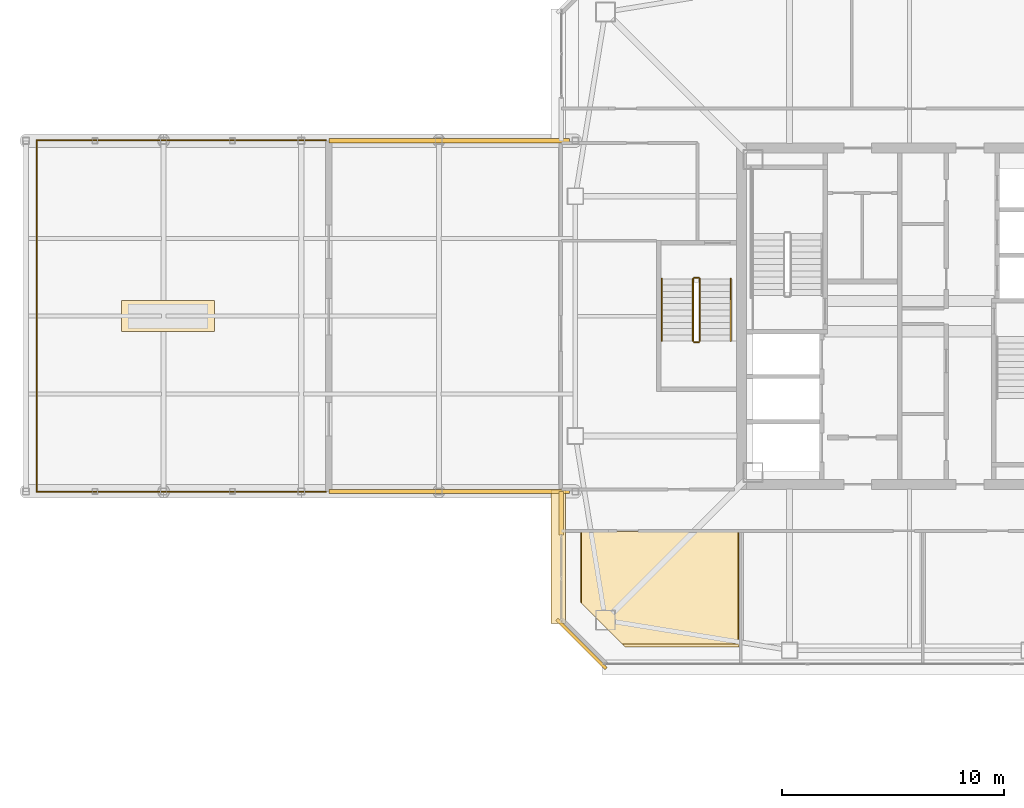
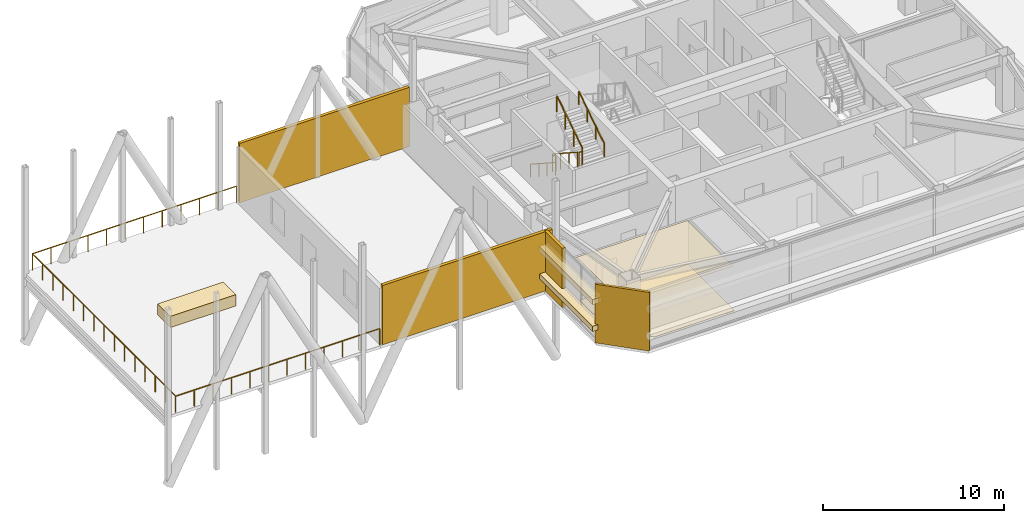
# One storey, part 47 of 53: 9 coverings, 9 railings.
"""IFC4 building model written with IfcOpenShell, lengths in metres."""

from ifc_helpers import new_model, si_unit, direction, frame, origin, origin_2d, place, context, subcontext, project, spatial, polyline, rectangle, outline, extrude, material, layer, layer_set, type_object, element, save


model = new_model("IFC4")

# Units and contexts
model_context = context("Model", 3, precision=1e-05, world=origin(), true_north=direction((0.0, 1.0)))
body_context = subcontext(model_context, "Body", "Model", "MODEL_VIEW")
ifc_project = project(units=[si_unit("LENGTHUNIT", "METRE"), si_unit("AREAUNIT", "SQUARE_METRE"), si_unit("VOLUMEUNIT", "CUBIC_METRE"), si_unit("PLANEANGLEUNIT", "RADIAN"), si_unit("MASSUNIT", "GRAM", prefix="KILO")], contexts=[model_context])

# Site, building, storey
site_placement = place(None, origin())
site = spatial("IfcSite", under=ifc_project, at=site_placement, CompositionType="ELEMENT")
building_placement = place(site_placement, origin())
building = spatial("IfcBuilding", under=site, at=building_placement, Name="Tashvorn Skyway Center", CompositionType="ELEMENT")
storey_placement = place(building_placement, frame((0.0, 0.0, 255.39990234375)))
storey = spatial("IfcBuildingStorey", under=building, at=storey_placement, Name="L69", CompositionType="ELEMENT", Elevation=255.39990234375)

# Coverings
ifc_material_1 = material(Name="Precast concrete C40/50", Category="concrete")
ifc_layer_1 = layer(ifc_material_1, 0.199951171875)
ifc_layer_set_1 = layer_set([ifc_layer_1], Name="Precast concrete C40/50")
covering_type_1 = type_object("IfcCoveringType", Name="COV-BRACE-CLAD", PredefinedType="CLADDING", material=ifc_layer_set_1)
covering_1_placement = place(storey_placement, frame((26.320068359375, 23.1201171875, 0.0), z_axis=(0.0, 0.0, 1.0), x_axis=(0.0, 1.0, 0.0)))
element("IfcCovering", 1, at=covering_1_placement, inside=storey, type_object=covering_type_1, Name="Tower 1 L69 West Curtain Wall A Mega-Brace Cladding Band 1", PredefinedType="CLADDING", context=body_context, shape_type="SweptSolid", body=[
    extrude(rectangle(XDim=1.9599609375, YDim=0.199951171875, at=origin_2d()), origin(), (0.0, 0.0, 1.0), 4.0),
])
for number, where, z_axis, x_axis, name in (
    (2, (21.260009765625, 24.10009765625, 0.0), (0.0, 0.0, 1.0), (-1.0, 0.0, 0.0), "Sky-Park L69 Cantilever Gallery South Curtain Wall Mega-Brace Cladding Band 1"),
    (3, (21.260009765625, 39.89990234375, 0.0), (0.0, 0.0, 1.0), (1.0, 0.0, 0.0), "Sky-Park L69 Cantilever Gallery North Curtain Wall Mega-Brace Cladding Band 1"),
):
    element("IfcCovering", number, at=place(storey_placement, frame(where, z_axis=z_axis, x_axis=x_axis)), inside=storey, type_object=covering_type_1, Name=name, PredefinedType="CLADDING", context=body_context, shape_type="SweptSolid", body=[
        extrude(rectangle(XDim=10.840087890625, YDim=0.199951171875, at=origin_2d()), origin(), (0.0, 0.0, 1.0), 4.0),
    ])
ifc_material_2 = material(Name="Mineral-fibre acoustic ceiling tile on suspended grid")
ifc_layer_2 = layer(ifc_material_2, 0.02001953125)
ifc_layer_set_2 = layer_set([ifc_layer_2], Name="Mineral-fibre acoustic ceiling tile on suspended grid")
covering_type_2 = type_object("IfcCoveringType", Name="COV-CEIL-20", PredefinedType="CEILING", material=ifc_layer_set_2)
covering_2_placement = place(storey_placement, frame((0.0, 0.0, 2.951171875)))
element("IfcCovering", 4, at=covering_2_placement, inside=storey, type_object=covering_type_2, Name="Tower 1 L69 Open Plan Office Acoustic Ceiling", PredefinedType="CEILING", context=body_context, shape_type="SweptSolid", body=[
    extrude(outline(polyline([(27.219970703125, 22.2900390625), (34.280029296875, 22.2900390625), (34.280029296875, 17.219970703125), (29.080078125, 17.219970703125), (27.219970703125, 19.080078125), (27.219970703125, 22.2900390625)])), origin(), (0.0, 0.0, 1.0), 0.02001953125),
])
ifc_material_3 = material(Name="Polished Mojave desert-aggregate terrazzo and cover plate")
ifc_layer_3 = layer(ifc_material_3, 0.0400390625)
ifc_layer_set_3 = layer_set([ifc_layer_3], Name="Polished Mojave desert-aggregate terrazzo and cover plate")
covering_type_3 = type_object("IfcCoveringType", Name="COV-FLR-40", PredefinedType="FLOORING", material=ifc_layer_set_3)
covering_3_placement = place(storey_placement, origin())
element("IfcCovering", 5, at=covering_3_placement, inside=storey, type_object=covering_type_3, Name="Tower 1 L69 Open Plan Office Finish Flooring", PredefinedType="FLOORING", context=body_context, shape_type="SweptSolid", body=[
    extrude(outline(polyline([(29.199951171875, 17.10009765625), (27.179931640625, 19.1201171875), (27.179931640625, 22.25), (34.320068359375, 22.25), (34.320068359375, 17.10009765625), (29.199951171875, 17.10009765625)])), origin(), (0.0, 0.0, 1.0), 0.0400390625),
])
ifc_material_4 = material(Name="Perforated ceramic-coated bronze aluminium solar screen", Category="aluminium")
ifc_layer_4 = layer(ifc_material_4, 0.85009765625)
ifc_layer_set_4 = layer_set([ifc_layer_4], Name="Perforated ceramic-coated bronze aluminium solar screen")
covering_type_4 = type_object("IfcCoveringType", Name="COV-SOLAR-BAND", PredefinedType="CLADDING", material=ifc_layer_set_4)
for number, where, z_axis, x_axis, name in (
    (6, (26.179931640625, 21.159912109375, 0.919921875), (0.0, 0.0, 1.0), (0.0, 1.0, 0.0), "L69 Perforated Ceramic-Metal Solar Screen Louvre Band West 1"),
    (7, (26.179931640625, 21.159912109375, 2.72021484375), (0.0, 0.0, 1.0), (0.0, 1.0, 0.0), "L69 Perforated Ceramic-Metal Solar Screen Louvre Band West 2"),
):
    element("IfcCovering", number, at=place(storey_placement, frame(where, z_axis=z_axis, x_axis=x_axis)), inside=storey, type_object=covering_type_4, Name=name, PredefinedType="CLADDING", context=body_context, shape_type="SweptSolid", body=[
        extrude(rectangle(XDim=6.0, YDim=0.639892578125, at=origin_2d()), origin(), (0.0, 0.0, 1.0), 0.360107421875),
    ])
ifc_layer_5 = layer(ifc_material_1, 0.35009765625)
ifc_layer_set_5 = layer_set([ifc_layer_5], Name="Precast concrete C40/50")
covering_type_5 = type_object("IfcCoveringType", Name="COV-STONE-TRIM", PredefinedType="CLADDING", material=ifc_layer_set_5)
covering_4_placement = place(storey_placement, frame((27.22998046875, 17.22998046875, 0.02001953125), z_axis=(0.0, 0.0, 1.0), x_axis=(-0.707106781187, 0.707106781187, 0.0)))
element("IfcCovering", 8, at=covering_4_placement, inside=storey, type_object=covering_type_5, Name="Tower 1 L69 SW Mojave Limestone Corner Quoin", PredefinedType="CLADDING", context=body_context, shape_type="SweptSolid", body=[
    extrude(rectangle(XDim=3.1298828125, YDim=0.139892578125, at=origin_2d()), origin(), (0.0, 0.0, 1.0), 3.9599609375),
])
covering_5_placement = place(storey_placement, frame((8.60009765625, 32.0, 0.0), z_axis=(0.0, 0.0, 1.0), x_axis=(1.0, 0.0, 0.0)))
element("IfcCovering", 9, at=covering_5_placement, inside=storey, type_object=covering_type_5, Name="Sky-Park L69 Cantilever Stone Planter Kerb", PredefinedType="CLADDING", context=body_context, shape_type="SweptSolid", body=[
    extrude(rectangle(XDim=4.199951171875, YDim=1.39990234375, at=origin_2d()), origin(), (0.0, 0.0, 1.0), 0.760009765625),
])

# Railings
ifc_material_5 = material(Name="Galvanized steel S355", Category="steel")
railing_type_1 = type_object("IfcRailingType", Name="RAIL-GUARD-1120", PredefinedType="GUARDRAIL", material=ifc_material_5)
railing_1_placement = place(storey_placement, frame((15.699951171875, 24.080078125, 0.0)))
element("IfcRailing", 10, at=railing_1_placement, inside=storey, type_object=railing_type_1, Name="L69 Sky-Park Cantilever Terrace Guardrail 01", PredefinedType="GUARDRAIL", context=body_context, shape_type="SweptSolid", body=[
    extrude(rectangle(XDim=0.048095703125, YDim=0.048095703125, at=origin_2d()), frame((0.0, 0.0, 1.09619140625), z_axis=(-1.0, 0.0, 0.0), x_axis=(0.0, -1.0, 0.0)), (0.0, 0.0, 1.0), 13.02001953125),
    extrude(rectangle(XDim=0.0419921875, YDim=0.0419921875, at=origin_2d()), origin(), (0.0, 0.0, 1.0), 1.072021484375),
    extrude(rectangle(XDim=0.0419921875, YDim=0.0419921875, at=origin_2d()), frame((-1.18359375, 0.0, 0.0)), (0.0, 0.0, 1.0), 1.072021484375),
    extrude(rectangle(XDim=0.0419921875, YDim=0.0419921875, at=origin_2d()), frame((-2.3671875, 0.0, 0.0)), (0.0, 0.0, 1.0), 1.072021484375),
    extrude(rectangle(XDim=0.0419921875, YDim=0.0419921875, at=origin_2d()), frame((-3.551025390625, 0.0, 0.0)), (0.0, 0.0, 1.0), 1.072021484375),
    extrude(rectangle(XDim=0.0419921875, YDim=0.0419921875, at=origin_2d()), frame((-4.734619140625, 0.0, 0.0)), (0.0, 0.0, 1.0), 1.072021484375),
    extrude(rectangle(XDim=0.0419921875, YDim=0.0419921875, at=origin_2d()), frame((-5.918212890625, 0.0, 0.0)), (0.0, 0.0, 1.0), 1.072021484375),
    extrude(rectangle(XDim=0.0419921875, YDim=0.0419921875, at=origin_2d()), frame((-7.101806640625, 0.0, 0.0)), (0.0, 0.0, 1.0), 1.072021484375),
    extrude(rectangle(XDim=0.0419921875, YDim=0.0419921875, at=origin_2d()), frame((-8.285400390625, 0.0, 0.0)), (0.0, 0.0, 1.0), 1.072021484375),
    extrude(rectangle(XDim=0.0419921875, YDim=0.0419921875, at=origin_2d()), frame((-9.468994140625, 0.0, 0.0)), (0.0, 0.0, 1.0), 1.072021484375),
    extrude(rectangle(XDim=0.0419921875, YDim=0.0419921875, at=origin_2d()), frame((-10.65283203125, 0.0, 0.0)), (0.0, 0.0, 1.0), 1.072021484375),
    extrude(rectangle(XDim=0.0419921875, YDim=0.0419921875, at=origin_2d()), frame((-11.83642578125, 0.0, 0.0)), (0.0, 0.0, 1.0), 1.072021484375),
    extrude(rectangle(XDim=0.0419921875, YDim=0.0419921875, at=origin_2d()), frame((-13.02001953125, 0.0, 0.0)), (0.0, 0.0, 1.0), 1.072021484375),
])
railing_2_placement = place(storey_placement, frame((2.679931640625, 24.080078125, 0.0)))
element("IfcRailing", 11, at=railing_2_placement, inside=storey, type_object=railing_type_1, Name="L69 Sky-Park Cantilever Terrace Guardrail 02", PredefinedType="GUARDRAIL", context=body_context, shape_type="SweptSolid", body=[
    extrude(rectangle(XDim=0.048095703125, YDim=0.048095703125, at=origin_2d()), frame((0.0, 0.0, 1.09619140625), z_axis=(0.0, 1.0, 0.0), x_axis=(-1.0, 0.0, 0.0)), (0.0, 0.0, 1.0), 15.83984375),
    extrude(rectangle(XDim=0.0419921875, YDim=0.0419921875, at=origin_2d()), origin(), (0.0, 0.0, 1.0), 1.072021484375),
    extrude(rectangle(XDim=0.0419921875, YDim=0.0419921875, at=origin_2d()), frame((0.0, 1.13134765625, 0.0)), (0.0, 0.0, 1.0), 1.072021484375),
    extrude(rectangle(XDim=0.0419921875, YDim=0.0419921875, at=origin_2d()), frame((0.0, 2.262939453125, 0.0)), (0.0, 0.0, 1.0), 1.072021484375),
    extrude(rectangle(XDim=0.0419921875, YDim=0.0419921875, at=origin_2d()), frame((0.0, 3.394287109375, 0.0)), (0.0, 0.0, 1.0), 1.072021484375),
    extrude(rectangle(XDim=0.0419921875, YDim=0.0419921875, at=origin_2d()), frame((0.0, 4.525634765625, 0.0)), (0.0, 0.0, 1.0), 1.072021484375),
    extrude(rectangle(XDim=0.0419921875, YDim=0.0419921875, at=origin_2d()), frame((0.0, 5.656982421875, 0.0)), (0.0, 0.0, 1.0), 1.072021484375),
    extrude(rectangle(XDim=0.0419921875, YDim=0.0419921875, at=origin_2d()), frame((0.0, 6.78857421875, 0.0)), (0.0, 0.0, 1.0), 1.072021484375),
    extrude(rectangle(XDim=0.0419921875, YDim=0.0419921875, at=origin_2d()), frame((0.0, 7.919921875, 0.0)), (0.0, 0.0, 1.0), 1.072021484375),
    extrude(rectangle(XDim=0.0419921875, YDim=0.0419921875, at=origin_2d()), frame((0.0, 9.05126953125, 0.0)), (0.0, 0.0, 1.0), 1.072021484375),
    extrude(rectangle(XDim=0.0419921875, YDim=0.0419921875, at=origin_2d()), frame((0.0, 10.182861328125, 0.0)), (0.0, 0.0, 1.0), 1.072021484375),
    extrude(rectangle(XDim=0.0419921875, YDim=0.0419921875, at=origin_2d()), frame((0.0, 11.314208984375, 0.0)), (0.0, 0.0, 1.0), 1.072021484375),
    extrude(rectangle(XDim=0.0419921875, YDim=0.0419921875, at=origin_2d()), frame((0.0, 12.445556640625, 0.0)), (0.0, 0.0, 1.0), 1.072021484375),
    extrude(rectangle(XDim=0.0419921875, YDim=0.0419921875, at=origin_2d()), frame((0.0, 13.576904296875, 0.0)), (0.0, 0.0, 1.0), 1.072021484375),
    extrude(rectangle(XDim=0.0419921875, YDim=0.0419921875, at=origin_2d()), frame((0.0, 14.70849609375, 0.0)), (0.0, 0.0, 1.0), 1.072021484375),
    extrude(rectangle(XDim=0.0419921875, YDim=0.0419921875, at=origin_2d()), frame((0.0, 15.83984375, 0.0)), (0.0, 0.0, 1.0), 1.072021484375),
])
railing_3_placement = place(storey_placement, frame((2.679931640625, 39.919921875, 0.0)))
element("IfcRailing", 12, at=railing_3_placement, inside=storey, type_object=railing_type_1, Name="L69 Sky-Park Cantilever Terrace Guardrail 03", PredefinedType="GUARDRAIL", context=body_context, shape_type="SweptSolid", body=[
    extrude(rectangle(XDim=0.048095703125, YDim=0.048095703125, at=origin_2d()), frame((0.0, 0.0, 1.09619140625), z_axis=(1.0, 0.0, 0.0), x_axis=(0.0, 1.0, 0.0)), (0.0, 0.0, 1.0), 13.02001953125),
    extrude(rectangle(XDim=0.0419921875, YDim=0.0419921875, at=origin_2d()), origin(), (0.0, 0.0, 1.0), 1.072021484375),
    extrude(rectangle(XDim=0.0419921875, YDim=0.0419921875, at=origin_2d()), frame((1.18359375, 0.0, 0.0)), (0.0, 0.0, 1.0), 1.072021484375),
    extrude(rectangle(XDim=0.0419921875, YDim=0.0419921875, at=origin_2d()), frame((2.3671875, 0.0, 0.0)), (0.0, 0.0, 1.0), 1.072021484375),
    extrude(rectangle(XDim=0.0419921875, YDim=0.0419921875, at=origin_2d()), frame((3.551025390625, 0.0, 0.0)), (0.0, 0.0, 1.0), 1.072021484375),
    extrude(rectangle(XDim=0.0419921875, YDim=0.0419921875, at=origin_2d()), frame((4.734619140625, 0.0, 0.0)), (0.0, 0.0, 1.0), 1.072021484375),
    extrude(rectangle(XDim=0.0419921875, YDim=0.0419921875, at=origin_2d()), frame((5.918212890625, 0.0, 0.0)), (0.0, 0.0, 1.0), 1.072021484375),
    extrude(rectangle(XDim=0.0419921875, YDim=0.0419921875, at=origin_2d()), frame((7.101806640625, 0.0, 0.0)), (0.0, 0.0, 1.0), 1.072021484375),
    extrude(rectangle(XDim=0.0419921875, YDim=0.0419921875, at=origin_2d()), frame((8.285400390625, 0.0, 0.0)), (0.0, 0.0, 1.0), 1.072021484375),
    extrude(rectangle(XDim=0.0419921875, YDim=0.0419921875, at=origin_2d()), frame((9.468994140625, 0.0, 0.0)), (0.0, 0.0, 1.0), 1.072021484375),
    extrude(rectangle(XDim=0.0419921875, YDim=0.0419921875, at=origin_2d()), frame((10.65283203125, 0.0, 0.0)), (0.0, 0.0, 1.0), 1.072021484375),
    extrude(rectangle(XDim=0.0419921875, YDim=0.0419921875, at=origin_2d()), frame((11.83642578125, 0.0, 0.0)), (0.0, 0.0, 1.0), 1.072021484375),
    extrude(rectangle(XDim=0.0419921875, YDim=0.0419921875, at=origin_2d()), frame((13.02001953125, 0.0, 0.0)), (0.0, 0.0, 1.0), 1.072021484375),
])
ifc_material_6 = material(Name="Brushed stainless steel 316", Category="steel")
railing_type_2 = type_object("IfcRailingType", Name="RAIL-HAND-920", PredefinedType="HANDRAIL", material=ifc_material_6)
railing_4_placement = place(storey_placement, frame((30.85009765625, 33.679931640625, 0.181884765625)))
element("IfcRailing", 13, at=railing_4_placement, inside=storey, type_object=railing_type_2, Name="L69 ST-T1-3 stair handrail 1", PredefinedType="HANDRAIL", context=body_context, shape_type="SweptSolid", body=[
    extrude(rectangle(XDim=0.048095703125, YDim=0.048095703125, at=origin_2d()), frame((0.0, 0.0, 0.8759765625), z_axis=(0.0, -0.838705829183, 0.544584733623), x_axis=(1.0, 0.0, 0.0)), (0.0, 0.0, 1.0), 3.338623046875),
    extrude(rectangle(XDim=0.0419921875, YDim=0.0419921875, at=origin_2d()), origin(), (0.0, 0.0, 1.0), 0.851806640625),
    extrude(rectangle(XDim=0.0419921875, YDim=0.0419921875, at=origin_2d()), frame((0.0, -0.933349609375, 0.60595703125)), (0.0, 0.0, 1.0), 0.851806640625),
    extrude(rectangle(XDim=0.0419921875, YDim=0.0419921875, at=origin_2d()), frame((0.0, -1.86669921875, 1.212158203125)), (0.0, 0.0, 1.0), 0.851806640625),
    extrude(rectangle(XDim=0.0419921875, YDim=0.0419921875, at=origin_2d()), frame((0.0, -2.800048828125, 1.818115234375)), (0.0, 0.0, 1.0), 0.851806640625),
])
railing_5_placement = place(storey_placement, frame((33.949951171875, 30.8798828125, 2.181884765625)))
element("IfcRailing", 14, at=railing_5_placement, inside=storey, type_object=railing_type_2, Name="L69 ST-T1-3 stair handrail 2", PredefinedType="HANDRAIL", context=body_context, shape_type="SweptSolid", body=[
    extrude(rectangle(XDim=0.048095703125, YDim=0.048095703125, at=origin_2d()), frame((0.0, 0.0, 0.8759765625), z_axis=(0.0, 0.838705829183, 0.544584733623), x_axis=(-1.0, 0.0, 0.0)), (0.0, 0.0, 1.0), 3.338623046875),
    extrude(rectangle(XDim=0.0419921875, YDim=0.0419921875, at=origin_2d()), origin(), (0.0, 0.0, 1.0), 0.851806640625),
    extrude(rectangle(XDim=0.0419921875, YDim=0.0419921875, at=origin_2d()), frame((0.0, 0.933349609375, 0.60595703125)), (0.0, 0.0, 1.0), 0.851806640625),
    extrude(rectangle(XDim=0.0419921875, YDim=0.0419921875, at=origin_2d()), frame((0.0, 1.86669921875, 1.212158203125)), (0.0, 0.0, 1.0), 0.851806640625),
    extrude(rectangle(XDim=0.0419921875, YDim=0.0419921875, at=origin_2d()), frame((0.0, 2.800048828125, 1.818115234375)), (0.0, 0.0, 1.0), 0.851806640625),
])
ifc_material_7 = material(Name="Painted galvanized steel S355", Category="steel")
railing_type_3 = type_object("IfcRailingType", Name="RAIL-STGUARD-1100", PredefinedType="GUARDRAIL", material=ifc_material_7)
railing_6_placement = place(storey_placement, frame((32.25, 33.679931640625, 0.181884765625)))
element("IfcRailing", 15, at=railing_6_placement, inside=storey, type_object=railing_type_3, Name="L69 ST-T1-3 stair guard 1", PredefinedType="GUARDRAIL", context=body_context, shape_type="SweptSolid", body=[
    extrude(rectangle(XDim=0.048095703125, YDim=0.048095703125, at=origin_2d()), frame((0.0, 0.0, 1.076171875), z_axis=(0.0, -0.838705829183, 0.544584733623), x_axis=(1.0, 0.0, 0.0)), (0.0, 0.0, 1.0), 3.338623046875),
    extrude(rectangle(XDim=0.0419921875, YDim=0.0419921875, at=origin_2d()), origin(), (0.0, 0.0, 1.0), 1.052001953125),
    extrude(rectangle(XDim=0.0419921875, YDim=0.0419921875, at=origin_2d()), frame((0.0, -0.933349609375, 0.60595703125)), (0.0, 0.0, 1.0), 1.052001953125),
    extrude(rectangle(XDim=0.0419921875, YDim=0.0419921875, at=origin_2d()), frame((0.0, -1.86669921875, 1.212158203125)), (0.0, 0.0, 1.0), 1.052001953125),
    extrude(rectangle(XDim=0.0419921875, YDim=0.0419921875, at=origin_2d()), frame((0.0, -2.800048828125, 1.818115234375)), (0.0, 0.0, 1.0), 1.052001953125),
])
railing_7_placement = place(storey_placement, frame((32.300048828125, 30.830078125, 2.0)))
element("IfcRailing", 16, at=railing_7_placement, inside=storey, type_object=railing_type_3, Name="L69 ST-T1-3 stair guard 2", PredefinedType="GUARDRAIL", context=body_context, shape_type="SweptSolid", body=[
    extrude(rectangle(XDim=0.048095703125, YDim=0.048095703125, at=origin_2d()), frame((0.0, 0.0, 1.076171875), z_axis=(1.0, 0.0, 0.0), x_axis=(0.0, 1.0, 0.0)), (0.0, 0.0, 1.0), 0.199951171875),
    extrude(rectangle(XDim=0.0419921875, YDim=0.0419921875, at=origin_2d()), origin(), (0.0, 0.0, 1.0), 1.052001953125),
    extrude(rectangle(XDim=0.0419921875, YDim=0.0419921875, at=origin_2d()), frame((0.199951171875, 0.0, 0.0)), (0.0, 0.0, 1.0), 1.052001953125),
])
railing_8_placement = place(storey_placement, frame((32.550048828125, 30.8798828125, 2.181884765625)))
element("IfcRailing", 17, at=railing_8_placement, inside=storey, type_object=railing_type_3, Name="L69 ST-T1-3 stair guard 3", PredefinedType="GUARDRAIL", context=body_context, shape_type="SweptSolid", body=[
    extrude(rectangle(XDim=0.048095703125, YDim=0.048095703125, at=origin_2d()), frame((0.0, 0.0, 1.076171875), z_axis=(0.0, 0.838705829183, 0.544584733623), x_axis=(-1.0, 0.0, 0.0)), (0.0, 0.0, 1.0), 3.338623046875),
    extrude(rectangle(XDim=0.0419921875, YDim=0.0419921875, at=origin_2d()), origin(), (0.0, 0.0, 1.0), 1.052001953125),
    extrude(rectangle(XDim=0.0419921875, YDim=0.0419921875, at=origin_2d()), frame((0.0, 0.933349609375, 0.60595703125)), (0.0, 0.0, 1.0), 1.052001953125),
    extrude(rectangle(XDim=0.0419921875, YDim=0.0419921875, at=origin_2d()), frame((0.0, 1.86669921875, 1.212158203125)), (0.0, 0.0, 1.0), 1.052001953125),
    extrude(rectangle(XDim=0.0419921875, YDim=0.0419921875, at=origin_2d()), frame((0.0, 2.800048828125, 1.818115234375)), (0.0, 0.0, 1.0), 1.052001953125),
])
railing_9_placement = place(storey_placement, frame((32.300048828125, 33.72998046875, 0.0)))
element("IfcRailing", 18, at=railing_9_placement, inside=storey, type_object=railing_type_3, Name="L69 ST-T1-3 stair guard 4", PredefinedType="GUARDRAIL", context=body_context, shape_type="SweptSolid", body=[
    extrude(rectangle(XDim=0.048095703125, YDim=0.048095703125, at=origin_2d()), frame((0.0, 0.0, 1.076171875), z_axis=(1.0, 0.0, 0.0), x_axis=(0.0, 1.0, 0.0)), (0.0, 0.0, 1.0), 0.199951171875),
    extrude(rectangle(XDim=0.0419921875, YDim=0.0419921875, at=origin_2d()), origin(), (0.0, 0.0, 1.0), 1.052001953125),
    extrude(rectangle(XDim=0.0419921875, YDim=0.0419921875, at=origin_2d()), frame((0.199951171875, 0.0, 0.0)), (0.0, 0.0, 1.0), 1.052001953125),
])

save(model, "model.ifc")
